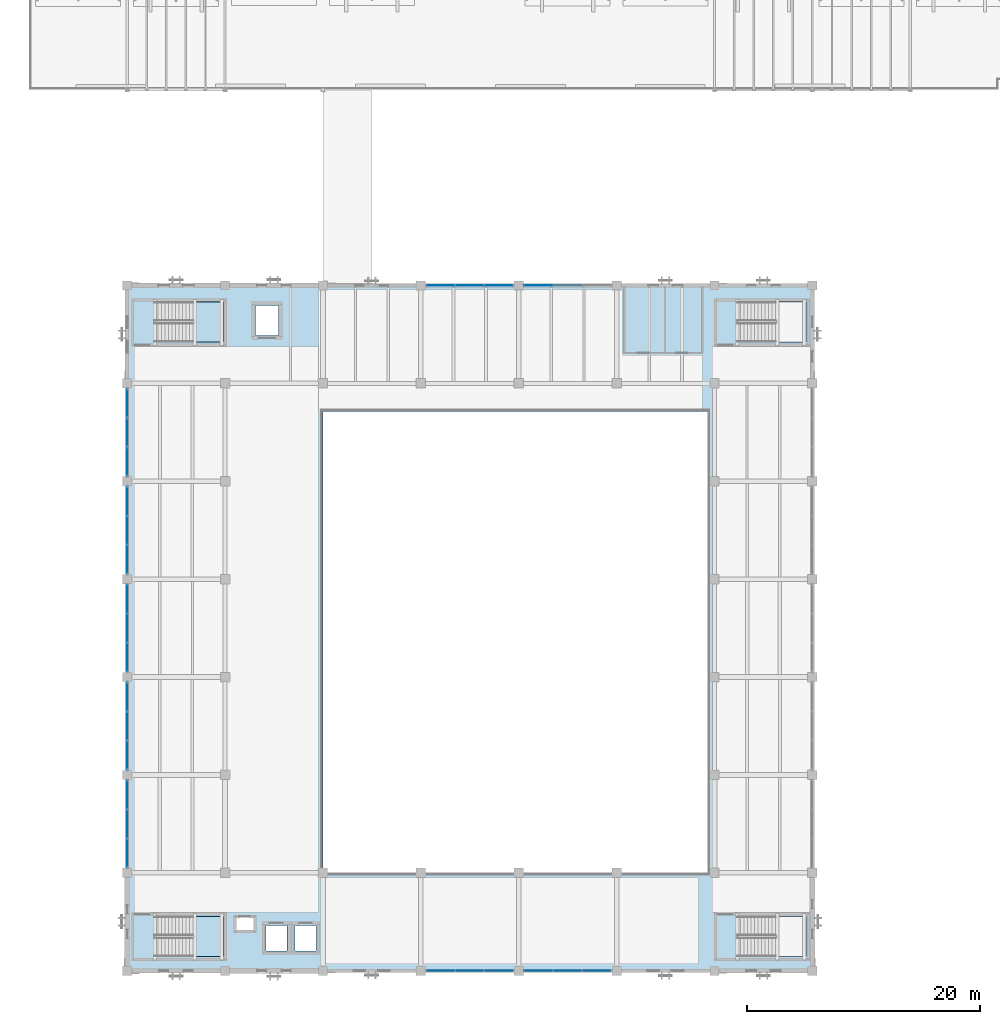
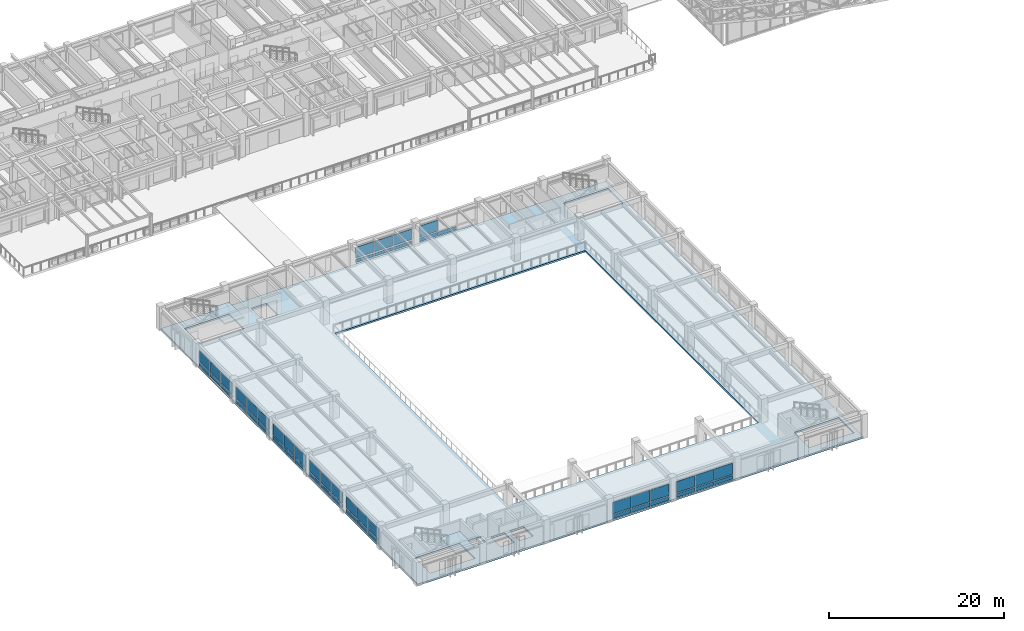
# One storey, part 62 of 111: 51 plates, 3 slabs, 11 elements without a shape of their own.
"""IFC4 building model written with IfcOpenShell, lengths in metres."""

from ifc_helpers import new_model, si_unit, direction, frame, origin, origin_2d, place, context, subcontext, project, spatial, polyline, rectangle, outline, extrude, material, layer, layer_set, type_object, element, aggregate, save


model = new_model("IFC4")

# Units and contexts
model_context = context("Model", 3, precision=1e-05, world=origin(), true_north=direction((0.0, 1.0)))
body_context = subcontext(model_context, "Body", "Model", "MODEL_VIEW")
ifc_project = project(units=[si_unit("LENGTHUNIT", "METRE"), si_unit("AREAUNIT", "SQUARE_METRE"), si_unit("VOLUMEUNIT", "CUBIC_METRE"), si_unit("PLANEANGLEUNIT", "RADIAN"), si_unit("MASSUNIT", "GRAM", prefix="KILO")], contexts=[model_context])

# Site, building, storey
site_placement = place(None, origin())
site = spatial("IfcSite", under=ifc_project, at=site_placement, CompositionType="ELEMENT")
building_placement = place(site_placement, origin())
building = spatial("IfcBuilding", under=site, at=building_placement, Name="Cumbredor Promenade Congress Hotel", CompositionType="ELEMENT")
storey_placement = place(building_placement, frame((0.0, 0.0, 15.1201171875)))
storey = spatial("IfcBuildingStorey", under=building, at=storey_placement, Name="L04", CompositionType="ELEMENT", Elevation=15.1201171875)

# Stair, slab
ifc_material_1 = material(Name="Concrete C40/50", Category="concrete")
stair_type = type_object("IfcStairType", Name="Protected Dog-Leg Exit Stair ST-T3 1650mm", PredefinedType="HALF_TURN_STAIR", material=ifc_material_1)
stair_1_placement = place(storey_placement, origin())
stair_1 = element("IfcStair", 1, at=stair_1_placement, inside=storey, type_object=stair_type, Name="L04 Protected Exit Stair ST-04", PredefinedType="HALF_TURN_STAIR")
ifc_layer_1 = layer(ifc_material_1, 0.199951171875, Name="Concrete C40/50", Category="concrete")
ifc_layer_set_1 = layer_set([ifc_layer_1], Name="Concrete C40/50")
slab_type_1 = type_object("IfcSlabType", Name="Concrete Stair Landing Slab 200mm", PredefinedType="LANDING", material=ifc_layer_set_1)
slab_1_placement = place(storey_placement, frame((0.0, 0.0, 1.47998046875)))
slab_1 = element("IfcSlab", 2, at=slab_1_placement, type_object=slab_type_1, Name="ST-04 landing 1", PredefinedType="LANDING", context=body_context, shape_type="SweptSolid", body=[
    extrude(outline(polyline([(14.050048828125, 9.60009765625), (16.64990234375, 9.60009765625), (16.64990234375, 13.050048828125), (14.050048828125, 13.050048828125), (14.050048828125, 9.60009765625)])), origin(), (0.0, 0.0, 1.0), 0.199951171875),
])
aggregate(stair_1, [slab_1])

stair_2_placement = place(storey_placement, origin())
stair_2 = element("IfcStair", 3, at=stair_2_placement, inside=storey, type_object=stair_type, Name="L04 Protected Exit Stair ST-06", PredefinedType="HALF_TURN_STAIR")
slab_2_placement = place(storey_placement, frame((0.0, 0.0, 1.47998046875)))
slab_2 = element("IfcSlab", 4, at=slab_2_placement, type_object=slab_type_1, Name="ST-06 landing 1", PredefinedType="LANDING", context=body_context, shape_type="SweptSolid", body=[
    extrude(outline(polyline([(14.050048828125, 62.35009765625), (16.64990234375, 62.35009765625), (16.64990234375, 65.800048828125), (14.050048828125, 65.800048828125), (14.050048828125, 62.35009765625)])), origin(), (0.0, 0.0, 1.0), 0.199951171875),
])
aggregate(stair_2, [slab_2])

# Curtain wall, plates
ifc_material_2 = material(Name="Thermally broken anodized aluminium and low-E glass", Category="aluminium")
curtain_wall_type = type_object("IfcCurtainWallType", Name="Unitised Bronze Curtain Wall CW-01", PredefinedType="NOTDEFINED", material=ifc_material_2)
curtain_wall_1_placement = place(storey_placement, origin())
curtain_wall_1 = element("IfcCurtainWall", 5, at=curtain_wall_1_placement, inside=storey, type_object=curtain_wall_type, Name="L04 Plenary Congress Hall South Curtain Wall 4", PredefinedType="NOTDEFINED")
ifc_material_3 = material(Name="Laminated low-E solar-control glass", Category="glass")
ifc_layer_2 = layer(ifc_material_3, 0.028076171875, Name="Laminated low-E solar-control glass", Category="glass")
ifc_layer_set_2 = layer_set([ifc_layer_2], Name="Laminated low-E solar-control glass")
plate_type_1 = type_object("IfcPlateType", Name="Glazed Vision Panel PNL-01", PredefinedType="CURTAIN_PANEL", material=ifc_layer_set_2)
plate_1_placement = place(storey_placement, frame((35.30322265625, 8.39990234375, 0.784912109375), z_axis=(0.0, 0.0, 1.0), x_axis=(1.0, 0.0, 0.0)))
plate_1 = element("IfcPlate", 6, at=plate_1_placement, type_object=plate_type_1, Name="L04 Plenary Congress Hall South Curtain Wall 4 Glazing Panel 1.2", PredefinedType="CURTAIN_PANEL", context=body_context, shape_type="SweptSolid", body=[
    extrude(rectangle(XDim=2.431640625, YDim=0.028076171875, at=origin_2d()), origin(), (0.0, 0.0, 1.0), 1.580078125),
])
plate_2_placement = place(storey_placement, frame((37.800048828125, 8.39990234375, 0.784912109375), z_axis=(0.0, 0.0, 1.0), x_axis=(1.0, 0.0, 0.0)))
plate_2 = element("IfcPlate", 7, at=plate_2_placement, type_object=plate_type_1, Name="L04 Plenary Congress Hall South Curtain Wall 4 Glazing Panel 2.2", PredefinedType="CURTAIN_PANEL", context=body_context, shape_type="SweptSolid", body=[
    extrude(rectangle(XDim=2.431640625, YDim=0.028076171875, at=origin_2d()), origin(), (0.0, 0.0, 1.0), 1.580078125),
])
plate_3_placement = place(storey_placement, frame((40.296630859375, 8.39990234375, 0.784912109375), z_axis=(0.0, 0.0, 1.0), x_axis=(1.0, 0.0, 0.0)))
plate_3 = element("IfcPlate", 8, at=plate_3_placement, type_object=plate_type_1, Name="L04 Plenary Congress Hall South Curtain Wall 4 Glazing Panel 3.2", PredefinedType="CURTAIN_PANEL", context=body_context, shape_type="SweptSolid", body=[
    extrude(rectangle(XDim=2.431640625, YDim=0.028076171875, at=origin_2d()), origin(), (0.0, 0.0, 1.0), 1.580078125),
])

# Curtain wall, plate
curtain_wall_2_placement = place(storey_placement, origin())
curtain_wall_2 = element("IfcCurtainWall", 9, at=curtain_wall_2_placement, inside=storey, type_object=curtain_wall_type, Name="L04 Plenary Congress Hall North Curtain Wall 5", PredefinedType="NOTDEFINED")
plate_4_placement = place(storey_placement, frame((43.703369140625, 67.199951171875, 0.784912109375), z_axis=(0.0, 0.0, 1.0), x_axis=(1.0, 0.0, 0.0)))
plate_4 = element("IfcPlate", 10, at=plate_4_placement, type_object=plate_type_1, Name="L04 Plenary Congress Hall North Curtain Wall 5 Glazing Panel 1.2", PredefinedType="CURTAIN_PANEL", context=body_context, shape_type="SweptSolid", body=[
    extrude(rectangle(XDim=2.431640625, YDim=0.028076171875, at=origin_2d()), origin(), (0.0, 0.0, 1.0), 1.580078125),
])

# Curtain wall, plates
curtain_wall_3_placement = place(storey_placement, origin())
curtain_wall_3 = element("IfcCurtainWall", 11, at=curtain_wall_3_placement, inside=storey, type_object=curtain_wall_type, Name="L04 Plenary Congress Hall West Curtain Wall 4", PredefinedType="NOTDEFINED")
plate_5_placement = place(storey_placement, frame((8.39990234375, 35.30322265625, 0.784912109375), z_axis=(0.0, 0.0, 1.0), x_axis=(0.0, 1.0, 0.0)))
plate_5 = element("IfcPlate", 12, at=plate_5_placement, type_object=plate_type_1, Name="L04 Plenary Congress Hall West Curtain Wall 4 Glazing Panel 1.2", PredefinedType="CURTAIN_PANEL", context=body_context, shape_type="SweptSolid", body=[
    extrude(rectangle(XDim=2.431640625, YDim=0.028076171875, at=origin_2d()), origin(), (0.0, 0.0, 1.0), 1.580078125),
])
plate_6_placement = place(storey_placement, frame((8.39990234375, 37.800048828125, 0.784912109375), z_axis=(0.0, 0.0, 1.0), x_axis=(0.0, 1.0, 0.0)))
plate_6 = element("IfcPlate", 13, at=plate_6_placement, type_object=plate_type_1, Name="L04 Plenary Congress Hall West Curtain Wall 4 Glazing Panel 2.2", PredefinedType="CURTAIN_PANEL", context=body_context, shape_type="SweptSolid", body=[
    extrude(rectangle(XDim=2.431640625, YDim=0.028076171875, at=origin_2d()), origin(), (0.0, 0.0, 1.0), 1.580078125),
])
plate_7_placement = place(storey_placement, frame((8.39990234375, 40.296630859375, 0.784912109375), z_axis=(0.0, 0.0, 1.0), x_axis=(0.0, 1.0, 0.0)))
plate_7 = element("IfcPlate", 14, at=plate_7_placement, type_object=plate_type_1, Name="L04 Plenary Congress Hall West Curtain Wall 4 Glazing Panel 3.2", PredefinedType="CURTAIN_PANEL", context=body_context, shape_type="SweptSolid", body=[
    extrude(rectangle(XDim=2.431640625, YDim=0.028076171875, at=origin_2d()), origin(), (0.0, 0.0, 1.0), 1.580078125),
])

curtain_wall_4_placement = place(storey_placement, origin())
curtain_wall_4 = element("IfcCurtainWall", 15, at=curtain_wall_4_placement, inside=storey, type_object=curtain_wall_type, Name="L04 Plenary Congress Hall South Curtain Wall 5", PredefinedType="NOTDEFINED")
ifc_layer_3 = layer(ifc_material_3, 0.031982421875, Name="Laminated low-E solar-control glass", Category="glass")
ifc_layer_set_3 = layer_set([ifc_layer_3], Name="Laminated low-E solar-control glass")
plate_type_2 = type_object("IfcPlateType", Name="Glazed Vision Panel PNL-02", PredefinedType="CURTAIN_PANEL", material=ifc_layer_set_3)
plate_8_placement = place(storey_placement, frame((43.703369140625, 8.39990234375, 0.794921875), z_axis=(0.0, 0.0, 1.0), x_axis=(1.0, 0.0, 0.0)))
plate_8 = element("IfcPlate", 16, at=plate_8_placement, type_object=plate_type_2, Name="L04 Plenary Congress Hall South Curtain Wall 5 Glazing Panel 1.2", PredefinedType="CURTAIN_PANEL", context=body_context, shape_type="SweptSolid", body=[
    extrude(rectangle(XDim=2.421630859375, YDim=0.031982421875, at=origin_2d()), origin(), (0.0, 0.0, 1.0), 1.550048828125),
])
plate_9_placement = place(storey_placement, frame((46.199951171875, 8.39990234375, 0.794921875), z_axis=(0.0, 0.0, 1.0), x_axis=(1.0, 0.0, 0.0)))
plate_9 = element("IfcPlate", 17, at=plate_9_placement, type_object=plate_type_2, Name="L04 Plenary Congress Hall South Curtain Wall 5 Glazing Panel 2.2", PredefinedType="CURTAIN_PANEL", context=body_context, shape_type="SweptSolid", body=[
    extrude(rectangle(XDim=2.421630859375, YDim=0.031982421875, at=origin_2d()), origin(), (0.0, 0.0, 1.0), 1.550048828125),
])
plate_10_placement = place(storey_placement, frame((48.696533203125, 8.39990234375, 0.794921875), z_axis=(0.0, 0.0, 1.0), x_axis=(1.0, 0.0, 0.0)))
plate_10 = element("IfcPlate", 18, at=plate_10_placement, type_object=plate_type_2, Name="L04 Plenary Congress Hall South Curtain Wall 5 Glazing Panel 3.2", PredefinedType="CURTAIN_PANEL", context=body_context, shape_type="SweptSolid", body=[
    extrude(rectangle(XDim=2.421630859375, YDim=0.031982421875, at=origin_2d()), origin(), (0.0, 0.0, 1.0), 1.550048828125),
])

curtain_wall_5_placement = place(storey_placement, origin())
curtain_wall_5 = element("IfcCurtainWall", 19, at=curtain_wall_5_placement, inside=storey, type_object=curtain_wall_type, Name="L04 Plenary Congress Hall West Curtain Wall 2", PredefinedType="NOTDEFINED")
plate_11_placement = place(storey_placement, frame((8.39990234375, 18.50341796875, 0.794921875), z_axis=(0.0, 0.0, 1.0), x_axis=(0.0, 1.0, 0.0)))
plate_11 = element("IfcPlate", 20, at=plate_11_placement, type_object=plate_type_2, Name="L04 Plenary Congress Hall West Curtain Wall 2 Glazing Panel 1.2", PredefinedType="CURTAIN_PANEL", context=body_context, shape_type="SweptSolid", body=[
    extrude(rectangle(XDim=2.421630859375, YDim=0.031982421875, at=origin_2d()), origin(), (0.0, 0.0, 1.0), 1.550048828125),
])
plate_12_placement = place(storey_placement, frame((8.39990234375, 21.0, 0.794921875), z_axis=(0.0, 0.0, 1.0), x_axis=(0.0, 1.0, 0.0)))
plate_12 = element("IfcPlate", 21, at=plate_12_placement, type_object=plate_type_2, Name="L04 Plenary Congress Hall West Curtain Wall 2 Glazing Panel 2.2", PredefinedType="CURTAIN_PANEL", context=body_context, shape_type="SweptSolid", body=[
    extrude(rectangle(XDim=2.421630859375, YDim=0.031982421875, at=origin_2d()), origin(), (0.0, 0.0, 1.0), 1.550048828125),
])
plate_13_placement = place(storey_placement, frame((8.39990234375, 23.49658203125, 0.794921875), z_axis=(0.0, 0.0, 1.0), x_axis=(0.0, 1.0, 0.0)))
plate_13 = element("IfcPlate", 22, at=plate_13_placement, type_object=plate_type_2, Name="L04 Plenary Congress Hall West Curtain Wall 2 Glazing Panel 3.2", PredefinedType="CURTAIN_PANEL", context=body_context, shape_type="SweptSolid", body=[
    extrude(rectangle(XDim=2.421630859375, YDim=0.031982421875, at=origin_2d()), origin(), (0.0, 0.0, 1.0), 1.550048828125),
])

curtain_wall_6_placement = place(storey_placement, origin())
curtain_wall_6 = element("IfcCurtainWall", 23, at=curtain_wall_6_placement, inside=storey, type_object=curtain_wall_type, Name="L04 Plenary Congress Hall West Curtain Wall 5", PredefinedType="NOTDEFINED")
plate_14_placement = place(storey_placement, frame((8.39990234375, 43.703369140625, 0.794921875), z_axis=(0.0, 0.0, 1.0), x_axis=(0.0, 1.0, 0.0)))
plate_14 = element("IfcPlate", 24, at=plate_14_placement, type_object=plate_type_2, Name="L04 Plenary Congress Hall West Curtain Wall 5 Glazing Panel 1.2", PredefinedType="CURTAIN_PANEL", context=body_context, shape_type="SweptSolid", body=[
    extrude(rectangle(XDim=2.421630859375, YDim=0.031982421875, at=origin_2d()), origin(), (0.0, 0.0, 1.0), 1.550048828125),
])
plate_15_placement = place(storey_placement, frame((8.39990234375, 46.199951171875, 0.794921875), z_axis=(0.0, 0.0, 1.0), x_axis=(0.0, 1.0, 0.0)))
plate_15 = element("IfcPlate", 25, at=plate_15_placement, type_object=plate_type_2, Name="L04 Plenary Congress Hall West Curtain Wall 5 Glazing Panel 2.2", PredefinedType="CURTAIN_PANEL", context=body_context, shape_type="SweptSolid", body=[
    extrude(rectangle(XDim=2.421630859375, YDim=0.031982421875, at=origin_2d()), origin(), (0.0, 0.0, 1.0), 1.550048828125),
])
plate_16_placement = place(storey_placement, frame((8.39990234375, 48.696533203125, 0.794921875), z_axis=(0.0, 0.0, 1.0), x_axis=(0.0, 1.0, 0.0)))
plate_16 = element("IfcPlate", 26, at=plate_16_placement, type_object=plate_type_2, Name="L04 Plenary Congress Hall West Curtain Wall 5 Glazing Panel 3.2", PredefinedType="CURTAIN_PANEL", context=body_context, shape_type="SweptSolid", body=[
    extrude(rectangle(XDim=2.421630859375, YDim=0.031982421875, at=origin_2d()), origin(), (0.0, 0.0, 1.0), 1.550048828125),
])

curtain_wall_7_placement = place(storey_placement, origin())
curtain_wall_7 = element("IfcCurtainWall", 27, at=curtain_wall_7_placement, inside=storey, type_object=curtain_wall_type, Name="L04 Plenary Congress Hall North Curtain Wall 4", PredefinedType="NOTDEFINED")
ifc_layer_4 = layer(ifc_material_3, 0.028076171875, Name="Laminated low-E solar-control glass", Category="glass")
ifc_layer_set_4 = layer_set([ifc_layer_4], Name="Laminated low-E solar-control glass")
plate_type_3 = type_object("IfcPlateType", Name="Glazed Vision Panel PNL-03", PredefinedType="CURTAIN_PANEL", material=ifc_layer_set_4)
plate_17_placement = place(storey_placement, frame((35.30322265625, 67.199951171875, 0.809814453125), z_axis=(0.0, 0.0, 1.0), x_axis=(1.0, 0.0, 0.0)))
plate_17 = element("IfcPlate", 28, at=plate_17_placement, type_object=plate_type_3, Name="L04 Plenary Congress Hall North Curtain Wall 4 Glazing Panel 1.2", PredefinedType="CURTAIN_PANEL", context=body_context, shape_type="SweptSolid", body=[
    extrude(rectangle(XDim=2.416748046875, YDim=0.028076171875, at=origin_2d()), origin(), (0.0, 0.0, 1.0), 1.5),
])
plate_18_placement = place(storey_placement, frame((37.800048828125, 67.199951171875, 0.809814453125), z_axis=(0.0, 0.0, 1.0), x_axis=(1.0, 0.0, 0.0)))
plate_18 = element("IfcPlate", 29, at=plate_18_placement, type_object=plate_type_3, Name="L04 Plenary Congress Hall North Curtain Wall 4 Glazing Panel 2.2", PredefinedType="CURTAIN_PANEL", context=body_context, shape_type="SweptSolid", body=[
    extrude(rectangle(XDim=2.41650390625, YDim=0.028076171875, at=origin_2d()), origin(), (0.0, 0.0, 1.0), 1.5),
])
plate_19_placement = place(storey_placement, frame((40.296630859375, 67.199951171875, 0.809814453125), z_axis=(0.0, 0.0, 1.0), x_axis=(1.0, 0.0, 0.0)))
plate_19 = element("IfcPlate", 30, at=plate_19_placement, type_object=plate_type_3, Name="L04 Plenary Congress Hall North Curtain Wall 4 Glazing Panel 3.2", PredefinedType="CURTAIN_PANEL", context=body_context, shape_type="SweptSolid", body=[
    extrude(rectangle(XDim=2.416748046875, YDim=0.028076171875, at=origin_2d()), origin(), (0.0, 0.0, 1.0), 1.5),
])

curtain_wall_8_placement = place(storey_placement, origin())
curtain_wall_8 = element("IfcCurtainWall", 31, at=curtain_wall_8_placement, inside=storey, type_object=curtain_wall_type, Name="L04 Plenary Congress Hall West Curtain Wall 3", PredefinedType="NOTDEFINED")
plate_20_placement = place(storey_placement, frame((8.39990234375, 26.9033203125, 0.809814453125), z_axis=(0.0, 0.0, 1.0), x_axis=(0.0, 1.0, 0.0)))
plate_20 = element("IfcPlate", 32, at=plate_20_placement, type_object=plate_type_3, Name="L04 Plenary Congress Hall West Curtain Wall 3 Glazing Panel 1.2", PredefinedType="CURTAIN_PANEL", context=body_context, shape_type="SweptSolid", body=[
    extrude(rectangle(XDim=2.416748046875, YDim=0.028076171875, at=origin_2d()), origin(), (0.0, 0.0, 1.0), 1.5),
])
plate_21_placement = place(storey_placement, frame((8.39990234375, 29.39990234375, 0.809814453125), z_axis=(0.0, 0.0, 1.0), x_axis=(0.0, 1.0, 0.0)))
plate_21 = element("IfcPlate", 33, at=plate_21_placement, type_object=plate_type_3, Name="L04 Plenary Congress Hall West Curtain Wall 3 Glazing Panel 2.2", PredefinedType="CURTAIN_PANEL", context=body_context, shape_type="SweptSolid", body=[
    extrude(rectangle(XDim=2.41650390625, YDim=0.028076171875, at=origin_2d()), origin(), (0.0, 0.0, 1.0), 1.5),
])
plate_22_placement = place(storey_placement, frame((8.39990234375, 31.896728515625, 0.809814453125), z_axis=(0.0, 0.0, 1.0), x_axis=(0.0, 1.0, 0.0)))
plate_22 = element("IfcPlate", 34, at=plate_22_placement, type_object=plate_type_3, Name="L04 Plenary Congress Hall West Curtain Wall 3 Glazing Panel 3.2", PredefinedType="CURTAIN_PANEL", context=body_context, shape_type="SweptSolid", body=[
    extrude(rectangle(XDim=2.416748046875, YDim=0.028076171875, at=origin_2d()), origin(), (0.0, 0.0, 1.0), 1.5),
])

curtain_wall_9_placement = place(storey_placement, origin())
curtain_wall_9 = element("IfcCurtainWall", 35, at=curtain_wall_9_placement, inside=storey, type_object=curtain_wall_type, Name="L04 Plenary Congress Hall West Curtain Wall 6", PredefinedType="NOTDEFINED")
plate_23_placement = place(storey_placement, frame((8.39990234375, 52.103515625, 0.809814453125), z_axis=(0.0, 0.0, 1.0), x_axis=(0.0, 1.0, 0.0)))
plate_23 = element("IfcPlate", 36, at=plate_23_placement, type_object=plate_type_3, Name="L04 Plenary Congress Hall West Curtain Wall 6 Glazing Panel 1.2", PredefinedType="CURTAIN_PANEL", context=body_context, shape_type="SweptSolid", body=[
    extrude(rectangle(XDim=2.416748046875, YDim=0.028076171875, at=origin_2d()), origin(), (0.0, 0.0, 1.0), 1.5),
])
plate_24_placement = place(storey_placement, frame((8.39990234375, 54.60009765625, 0.809814453125), z_axis=(0.0, 0.0, 1.0), x_axis=(0.0, 1.0, 0.0)))
plate_24 = element("IfcPlate", 37, at=plate_24_placement, type_object=plate_type_3, Name="L04 Plenary Congress Hall West Curtain Wall 6 Glazing Panel 2.2", PredefinedType="CURTAIN_PANEL", context=body_context, shape_type="SweptSolid", body=[
    extrude(rectangle(XDim=2.41650390625, YDim=0.028076171875, at=origin_2d()), origin(), (0.0, 0.0, 1.0), 1.5),
])
plate_25_placement = place(storey_placement, frame((8.39990234375, 57.0966796875, 0.809814453125), z_axis=(0.0, 0.0, 1.0), x_axis=(0.0, 1.0, 0.0)))
plate_25 = element("IfcPlate", 38, at=plate_25_placement, type_object=plate_type_3, Name="L04 Plenary Congress Hall West Curtain Wall 6 Glazing Panel 3.2", PredefinedType="CURTAIN_PANEL", context=body_context, shape_type="SweptSolid", body=[
    extrude(rectangle(XDim=2.416748046875, YDim=0.028076171875, at=origin_2d()), origin(), (0.0, 0.0, 1.0), 1.5),
])

# Slab
ifc_layer_5 = layer(ifc_material_1, 0.239990234375, Name="Concrete C40/50", Category="concrete")
ifc_layer_set_5 = layer_set([ifc_layer_5], Name="Concrete C40/50")
slab_type_2 = type_object("IfcSlabType", Name="Hotel Typical Floor Slab 240mm", PredefinedType="FLOOR", material=ifc_layer_set_5)
slab_3_placement = place(storey_placement, frame((0.0, 0.0, -0.240234375)))
element("IfcSlab", 39, at=slab_3_placement, inside=storey, type_object=slab_type_2, Name="L04 Plenary Congress Hall Floor Slab", PredefinedType="FLOOR", context=body_context, shape_type="SweptSolid", body=[
    extrude(outline(polyline([(8.39990234375, 8.39990234375), (67.199951171875, 8.39990234375), (67.199951171875, 67.199951171875), (8.39990234375, 67.199951171875), (8.39990234375, 8.39990234375)]), holes=[polyline([(10.75, 9.60009765625), (16.64990234375, 9.60009765625), (16.64990234375, 13.050048828125), (10.75, 13.050048828125), (10.75, 9.60009765625)]), polyline([(60.75, 9.60009765625), (66.64990234375, 9.60009765625), (66.64990234375, 13.050048828125), (60.75, 13.050048828125), (60.75, 9.60009765625)]), polyline([(10.75, 62.35009765625), (16.64990234375, 62.35009765625), (16.64990234375, 65.800048828125), (10.75, 65.800048828125), (10.75, 62.35009765625)]), polyline([(60.75, 62.35009765625), (66.64990234375, 62.35009765625), (66.64990234375, 65.800048828125), (60.75, 65.800048828125), (60.75, 62.35009765625)]), polyline([(20.300048828125, 10.10009765625), (22.10009765625, 10.10009765625), (22.10009765625, 12.300048828125), (20.300048828125, 12.300048828125), (20.300048828125, 10.10009765625)]), polyline([(22.800048828125, 10.10009765625), (24.60009765625, 10.10009765625), (24.60009765625, 12.300048828125), (22.800048828125, 12.300048828125), (22.800048828125, 10.10009765625)]), polyline([(19.39990234375, 62.89990234375), (21.39990234375, 62.89990234375), (21.39990234375, 65.5), (19.39990234375, 65.5), (19.39990234375, 62.89990234375)]), polyline([(17.699951171875, 11.800048828125), (19.300048828125, 11.800048828125), (19.300048828125, 13.0), (17.699951171875, 13.0), (17.699951171875, 11.800048828125)]), polyline([(25.199951171875, 16.800048828125), (58.199951171875, 16.800048828125), (58.199951171875, 56.39990234375), (25.199951171875, 56.39990234375), (25.199951171875, 16.800048828125)])]), origin(), (0.0, 0.0, 1.0), 0.240234375),
])

# Plate
ifc_material_4 = material(Name="Thermally broken anodized aluminium", Category="aluminium")
ifc_layer_6 = layer(ifc_material_4, 0.0400390625, Name="Thermally broken anodized aluminium", Category="aluminium")
ifc_layer_set_6 = layer_set([ifc_layer_6], Name="Thermally broken anodized aluminium")
plate_type_4 = type_object("IfcPlateType", Name="Insulated Spandrel Panel PNL-05", PredefinedType="CURTAIN_PANEL", material=ifc_layer_set_6)
plate_26_placement = place(storey_placement, frame((35.30322265625, 8.39990234375, 0.125), z_axis=(0.0, 0.0, 1.0), x_axis=(1.0, 0.0, 0.0)))
plate_26 = element("IfcPlate", 40, at=plate_26_placement, type_object=plate_type_4, Name="L04 Plenary Congress Hall South Curtain Wall 4 Spandrel Panel 1.1", PredefinedType="CURTAIN_PANEL", context=body_context, shape_type="SweptSolid", body=[
    extrude(rectangle(XDim=2.431640625, YDim=0.0400390625, at=origin_2d()), origin(), (0.0, 0.0, 1.0), 0.530029296875),
])

plate_27_placement = place(storey_placement, frame((37.800048828125, 8.39990234375, 0.125), z_axis=(0.0, 0.0, 1.0), x_axis=(1.0, 0.0, 0.0)))
plate_27 = element("IfcPlate", 41, at=plate_27_placement, type_object=plate_type_4, Name="L04 Plenary Congress Hall South Curtain Wall 4 Spandrel Panel 2.1", PredefinedType="CURTAIN_PANEL", context=body_context, shape_type="SweptSolid", body=[
    extrude(rectangle(XDim=2.431640625, YDim=0.0400390625, at=origin_2d()), origin(), (0.0, 0.0, 1.0), 0.530029296875),
])

plate_28_placement = place(storey_placement, frame((40.296630859375, 8.39990234375, 0.125), z_axis=(0.0, 0.0, 1.0), x_axis=(1.0, 0.0, 0.0)))
plate_28 = element("IfcPlate", 42, at=plate_28_placement, type_object=plate_type_4, Name="L04 Plenary Congress Hall South Curtain Wall 4 Spandrel Panel 3.1", PredefinedType="CURTAIN_PANEL", context=body_context, shape_type="SweptSolid", body=[
    extrude(rectangle(XDim=2.431640625, YDim=0.0400390625, at=origin_2d()), origin(), (0.0, 0.0, 1.0), 0.530029296875),
])

aggregate(curtain_wall_1, [plate_26, plate_1, plate_27, plate_2, plate_28, plate_3])

plate_29_placement = place(storey_placement, frame((35.30322265625, 67.199951171875, 0.1796875), z_axis=(0.0, 0.0, 1.0), x_axis=(1.0, 0.0, 0.0)))
plate_29 = element("IfcPlate", 43, at=plate_29_placement, type_object=plate_type_4, Name="L04 Plenary Congress Hall North Curtain Wall 4 Spandrel Panel 1.1", PredefinedType="CURTAIN_PANEL", context=body_context, shape_type="SweptSolid", body=[
    extrude(rectangle(XDim=2.416748046875, YDim=0.0400390625, at=origin_2d()), origin(), (0.0, 0.0, 1.0), 0.449951171875),
])

plate_30_placement = place(storey_placement, frame((37.800048828125, 67.199951171875, 0.1796875), z_axis=(0.0, 0.0, 1.0), x_axis=(1.0, 0.0, 0.0)))
plate_30 = element("IfcPlate", 44, at=plate_30_placement, type_object=plate_type_4, Name="L04 Plenary Congress Hall North Curtain Wall 4 Spandrel Panel 2.1", PredefinedType="CURTAIN_PANEL", context=body_context, shape_type="SweptSolid", body=[
    extrude(rectangle(XDim=2.41650390625, YDim=0.0400390625, at=origin_2d()), origin(), (0.0, 0.0, 1.0), 0.449951171875),
])

plate_31_placement = place(storey_placement, frame((40.296630859375, 67.199951171875, 0.1796875), z_axis=(0.0, 0.0, 1.0), x_axis=(1.0, 0.0, 0.0)))
plate_31 = element("IfcPlate", 45, at=plate_31_placement, type_object=plate_type_4, Name="L04 Plenary Congress Hall North Curtain Wall 4 Spandrel Panel 3.1", PredefinedType="CURTAIN_PANEL", context=body_context, shape_type="SweptSolid", body=[
    extrude(rectangle(XDim=2.416748046875, YDim=0.0400390625, at=origin_2d()), origin(), (0.0, 0.0, 1.0), 0.449951171875),
])

aggregate(curtain_wall_7, [plate_29, plate_17, plate_30, plate_18, plate_31, plate_19])

plate_32_placement = place(storey_placement, frame((8.39990234375, 18.50341796875, 0.144775390625), z_axis=(0.0, 0.0, 1.0), x_axis=(0.0, 1.0, 0.0)))
plate_32 = element("IfcPlate", 46, at=plate_32_placement, type_object=plate_type_4, Name="L04 Plenary Congress Hall West Curtain Wall 2 Spandrel Panel 1.1", PredefinedType="CURTAIN_PANEL", context=body_context, shape_type="SweptSolid", body=[
    extrude(rectangle(XDim=2.421630859375, YDim=0.0400390625, at=origin_2d()), origin(), (0.0, 0.0, 1.0), 0.5),
])

plate_33_placement = place(storey_placement, frame((8.39990234375, 21.0, 0.144775390625), z_axis=(0.0, 0.0, 1.0), x_axis=(0.0, 1.0, 0.0)))
plate_33 = element("IfcPlate", 47, at=plate_33_placement, type_object=plate_type_4, Name="L04 Plenary Congress Hall West Curtain Wall 2 Spandrel Panel 2.1", PredefinedType="CURTAIN_PANEL", context=body_context, shape_type="SweptSolid", body=[
    extrude(rectangle(XDim=2.421630859375, YDim=0.0400390625, at=origin_2d()), origin(), (0.0, 0.0, 1.0), 0.5),
])

plate_34_placement = place(storey_placement, frame((8.39990234375, 23.49658203125, 0.144775390625), z_axis=(0.0, 0.0, 1.0), x_axis=(0.0, 1.0, 0.0)))
plate_34 = element("IfcPlate", 48, at=plate_34_placement, type_object=plate_type_4, Name="L04 Plenary Congress Hall West Curtain Wall 2 Spandrel Panel 3.1", PredefinedType="CURTAIN_PANEL", context=body_context, shape_type="SweptSolid", body=[
    extrude(rectangle(XDim=2.421630859375, YDim=0.0400390625, at=origin_2d()), origin(), (0.0, 0.0, 1.0), 0.5),
])

aggregate(curtain_wall_5, [plate_32, plate_11, plate_33, plate_12, plate_34, plate_13])

plate_35_placement = place(storey_placement, frame((8.39990234375, 35.30322265625, 0.125), z_axis=(0.0, 0.0, 1.0), x_axis=(0.0, 1.0, 0.0)))
plate_35 = element("IfcPlate", 49, at=plate_35_placement, type_object=plate_type_4, Name="L04 Plenary Congress Hall West Curtain Wall 4 Spandrel Panel 1.1", PredefinedType="CURTAIN_PANEL", context=body_context, shape_type="SweptSolid", body=[
    extrude(rectangle(XDim=2.431640625, YDim=0.0400390625, at=origin_2d()), origin(), (0.0, 0.0, 1.0), 0.530029296875),
])

plate_36_placement = place(storey_placement, frame((8.39990234375, 37.800048828125, 0.125), z_axis=(0.0, 0.0, 1.0), x_axis=(0.0, 1.0, 0.0)))
plate_36 = element("IfcPlate", 50, at=plate_36_placement, type_object=plate_type_4, Name="L04 Plenary Congress Hall West Curtain Wall 4 Spandrel Panel 2.1", PredefinedType="CURTAIN_PANEL", context=body_context, shape_type="SweptSolid", body=[
    extrude(rectangle(XDim=2.431640625, YDim=0.0400390625, at=origin_2d()), origin(), (0.0, 0.0, 1.0), 0.530029296875),
])

plate_37_placement = place(storey_placement, frame((8.39990234375, 40.296630859375, 0.125), z_axis=(0.0, 0.0, 1.0), x_axis=(0.0, 1.0, 0.0)))
plate_37 = element("IfcPlate", 51, at=plate_37_placement, type_object=plate_type_4, Name="L04 Plenary Congress Hall West Curtain Wall 4 Spandrel Panel 3.1", PredefinedType="CURTAIN_PANEL", context=body_context, shape_type="SweptSolid", body=[
    extrude(rectangle(XDim=2.431640625, YDim=0.0400390625, at=origin_2d()), origin(), (0.0, 0.0, 1.0), 0.530029296875),
])

aggregate(curtain_wall_3, [plate_35, plate_5, plate_36, plate_6, plate_37, plate_7])

plate_38_placement = place(storey_placement, frame((8.39990234375, 52.103515625, 0.1796875), z_axis=(0.0, 0.0, 1.0), x_axis=(0.0, 1.0, 0.0)))
plate_38 = element("IfcPlate", 52, at=plate_38_placement, type_object=plate_type_4, Name="L04 Plenary Congress Hall West Curtain Wall 6 Spandrel Panel 1.1", PredefinedType="CURTAIN_PANEL", context=body_context, shape_type="SweptSolid", body=[
    extrude(rectangle(XDim=2.416748046875, YDim=0.0400390625, at=origin_2d()), origin(), (0.0, 0.0, 1.0), 0.449951171875),
])

plate_39_placement = place(storey_placement, frame((8.39990234375, 54.60009765625, 0.1796875), z_axis=(0.0, 0.0, 1.0), x_axis=(0.0, 1.0, 0.0)))
plate_39 = element("IfcPlate", 53, at=plate_39_placement, type_object=plate_type_4, Name="L04 Plenary Congress Hall West Curtain Wall 6 Spandrel Panel 2.1", PredefinedType="CURTAIN_PANEL", context=body_context, shape_type="SweptSolid", body=[
    extrude(rectangle(XDim=2.41650390625, YDim=0.0400390625, at=origin_2d()), origin(), (0.0, 0.0, 1.0), 0.449951171875),
])

plate_40_placement = place(storey_placement, frame((8.39990234375, 57.0966796875, 0.1796875), z_axis=(0.0, 0.0, 1.0), x_axis=(0.0, 1.0, 0.0)))
plate_40 = element("IfcPlate", 54, at=plate_40_placement, type_object=plate_type_4, Name="L04 Plenary Congress Hall West Curtain Wall 6 Spandrel Panel 3.1", PredefinedType="CURTAIN_PANEL", context=body_context, shape_type="SweptSolid", body=[
    extrude(rectangle(XDim=2.416748046875, YDim=0.0400390625, at=origin_2d()), origin(), (0.0, 0.0, 1.0), 0.449951171875),
])

aggregate(curtain_wall_9, [plate_38, plate_23, plate_39, plate_24, plate_40, plate_25])

ifc_layer_7 = layer(ifc_material_4, 0.0400390625, Name="Thermally broken anodized aluminium", Category="aluminium")
ifc_layer_set_7 = layer_set([ifc_layer_7], Name="Thermally broken anodized aluminium")
plate_type_5 = type_object("IfcPlateType", Name="Insulated Spandrel Panel PNL-06", PredefinedType="CURTAIN_PANEL", material=ifc_layer_set_7)
plate_41_placement = place(storey_placement, frame((43.703369140625, 8.39990234375, 0.144775390625), z_axis=(0.0, 0.0, 1.0), x_axis=(1.0, 0.0, 0.0)))
plate_41 = element("IfcPlate", 55, at=plate_41_placement, type_object=plate_type_5, Name="L04 Plenary Congress Hall South Curtain Wall 5 Spandrel Panel 1.1", PredefinedType="CURTAIN_PANEL", context=body_context, shape_type="SweptSolid", body=[
    extrude(rectangle(XDim=2.421630859375, YDim=0.0400390625, at=origin_2d()), origin(), (0.0, 0.0, 1.0), 0.5),
])

plate_42_placement = place(storey_placement, frame((46.199951171875, 8.39990234375, 0.144775390625), z_axis=(0.0, 0.0, 1.0), x_axis=(1.0, 0.0, 0.0)))
plate_42 = element("IfcPlate", 56, at=plate_42_placement, type_object=plate_type_5, Name="L04 Plenary Congress Hall South Curtain Wall 5 Spandrel Panel 2.1", PredefinedType="CURTAIN_PANEL", context=body_context, shape_type="SweptSolid", body=[
    extrude(rectangle(XDim=2.421630859375, YDim=0.0400390625, at=origin_2d()), origin(), (0.0, 0.0, 1.0), 0.5),
])

plate_43_placement = place(storey_placement, frame((48.696533203125, 8.39990234375, 0.144775390625), z_axis=(0.0, 0.0, 1.0), x_axis=(1.0, 0.0, 0.0)))
plate_43 = element("IfcPlate", 57, at=plate_43_placement, type_object=plate_type_5, Name="L04 Plenary Congress Hall South Curtain Wall 5 Spandrel Panel 3.1", PredefinedType="CURTAIN_PANEL", context=body_context, shape_type="SweptSolid", body=[
    extrude(rectangle(XDim=2.421630859375, YDim=0.0400390625, at=origin_2d()), origin(), (0.0, 0.0, 1.0), 0.5),
])

aggregate(curtain_wall_4, [plate_41, plate_8, plate_42, plate_9, plate_43, plate_10])

plate_44_placement = place(storey_placement, frame((43.703369140625, 67.199951171875, 0.125), z_axis=(0.0, 0.0, 1.0), x_axis=(1.0, 0.0, 0.0)))
plate_44 = element("IfcPlate", 58, at=plate_44_placement, type_object=plate_type_5, Name="L04 Plenary Congress Hall North Curtain Wall 5 Spandrel Panel 1.1", PredefinedType="CURTAIN_PANEL", context=body_context, shape_type="SweptSolid", body=[
    extrude(rectangle(XDim=2.431640625, YDim=0.0400390625, at=origin_2d()), origin(), (0.0, 0.0, 1.0), 0.530029296875),
])

plate_45_placement = place(storey_placement, frame((46.199951171875, 67.199951171875, 0.125), z_axis=(0.0, 0.0, 1.0), x_axis=(1.0, 0.0, 0.0)))
plate_45 = element("IfcPlate", 59, at=plate_45_placement, type_object=plate_type_5, Name="L04 Plenary Congress Hall North Curtain Wall 5 Spandrel Panel 2.1", PredefinedType="CURTAIN_PANEL", context=body_context, shape_type="SweptSolid", body=[
    extrude(rectangle(XDim=2.431640625, YDim=0.0400390625, at=origin_2d()), origin(), (0.0, 0.0, 1.0), 0.530029296875),
])

aggregate(curtain_wall_2, [plate_44, plate_4, plate_45])

plate_46_placement = place(storey_placement, frame((8.39990234375, 26.9033203125, 0.1796875), z_axis=(0.0, 0.0, 1.0), x_axis=(0.0, 1.0, 0.0)))
plate_46 = element("IfcPlate", 60, at=plate_46_placement, type_object=plate_type_5, Name="L04 Plenary Congress Hall West Curtain Wall 3 Spandrel Panel 1.1", PredefinedType="CURTAIN_PANEL", context=body_context, shape_type="SweptSolid", body=[
    extrude(rectangle(XDim=2.416748046875, YDim=0.0400390625, at=origin_2d()), origin(), (0.0, 0.0, 1.0), 0.449951171875),
])

plate_47_placement = place(storey_placement, frame((8.39990234375, 29.39990234375, 0.1796875), z_axis=(0.0, 0.0, 1.0), x_axis=(0.0, 1.0, 0.0)))
plate_47 = element("IfcPlate", 61, at=plate_47_placement, type_object=plate_type_5, Name="L04 Plenary Congress Hall West Curtain Wall 3 Spandrel Panel 2.1", PredefinedType="CURTAIN_PANEL", context=body_context, shape_type="SweptSolid", body=[
    extrude(rectangle(XDim=2.41650390625, YDim=0.0400390625, at=origin_2d()), origin(), (0.0, 0.0, 1.0), 0.449951171875),
])

plate_48_placement = place(storey_placement, frame((8.39990234375, 31.896728515625, 0.1796875), z_axis=(0.0, 0.0, 1.0), x_axis=(0.0, 1.0, 0.0)))
plate_48 = element("IfcPlate", 62, at=plate_48_placement, type_object=plate_type_5, Name="L04 Plenary Congress Hall West Curtain Wall 3 Spandrel Panel 3.1", PredefinedType="CURTAIN_PANEL", context=body_context, shape_type="SweptSolid", body=[
    extrude(rectangle(XDim=2.416748046875, YDim=0.0400390625, at=origin_2d()), origin(), (0.0, 0.0, 1.0), 0.449951171875),
])

aggregate(curtain_wall_8, [plate_46, plate_20, plate_47, plate_21, plate_48, plate_22])

plate_49_placement = place(storey_placement, frame((8.39990234375, 43.703369140625, 0.144775390625), z_axis=(0.0, 0.0, 1.0), x_axis=(0.0, 1.0, 0.0)))
plate_49 = element("IfcPlate", 63, at=plate_49_placement, type_object=plate_type_5, Name="L04 Plenary Congress Hall West Curtain Wall 5 Spandrel Panel 1.1", PredefinedType="CURTAIN_PANEL", context=body_context, shape_type="SweptSolid", body=[
    extrude(rectangle(XDim=2.421630859375, YDim=0.0400390625, at=origin_2d()), origin(), (0.0, 0.0, 1.0), 0.5),
])

plate_50_placement = place(storey_placement, frame((8.39990234375, 46.199951171875, 0.144775390625), z_axis=(0.0, 0.0, 1.0), x_axis=(0.0, 1.0, 0.0)))
plate_50 = element("IfcPlate", 64, at=plate_50_placement, type_object=plate_type_5, Name="L04 Plenary Congress Hall West Curtain Wall 5 Spandrel Panel 2.1", PredefinedType="CURTAIN_PANEL", context=body_context, shape_type="SweptSolid", body=[
    extrude(rectangle(XDim=2.421630859375, YDim=0.0400390625, at=origin_2d()), origin(), (0.0, 0.0, 1.0), 0.5),
])

plate_51_placement = place(storey_placement, frame((8.39990234375, 48.696533203125, 0.144775390625), z_axis=(0.0, 0.0, 1.0), x_axis=(0.0, 1.0, 0.0)))
plate_51 = element("IfcPlate", 65, at=plate_51_placement, type_object=plate_type_5, Name="L04 Plenary Congress Hall West Curtain Wall 5 Spandrel Panel 3.1", PredefinedType="CURTAIN_PANEL", context=body_context, shape_type="SweptSolid", body=[
    extrude(rectangle(XDim=2.421630859375, YDim=0.0400390625, at=origin_2d()), origin(), (0.0, 0.0, 1.0), 0.5),
])

aggregate(curtain_wall_6, [plate_49, plate_14, plate_50, plate_15, plate_51, plate_16])

save(model, "model.ifc")
